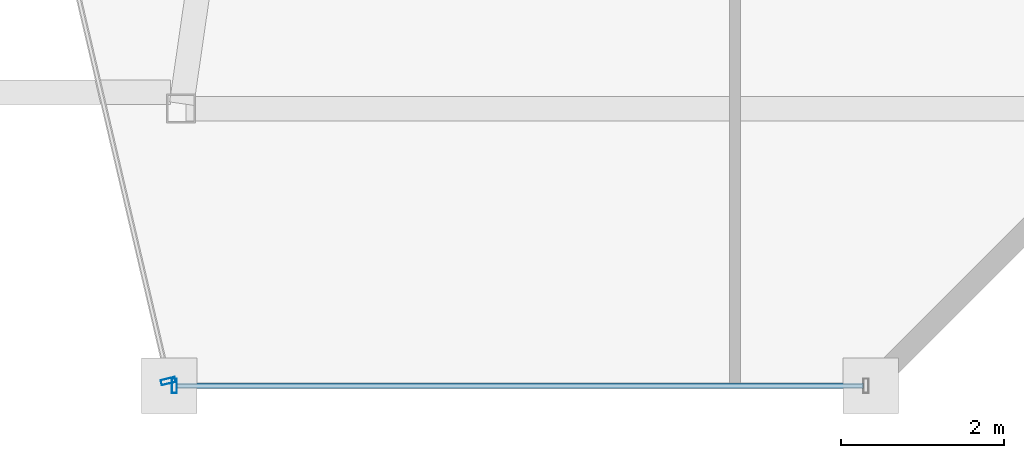
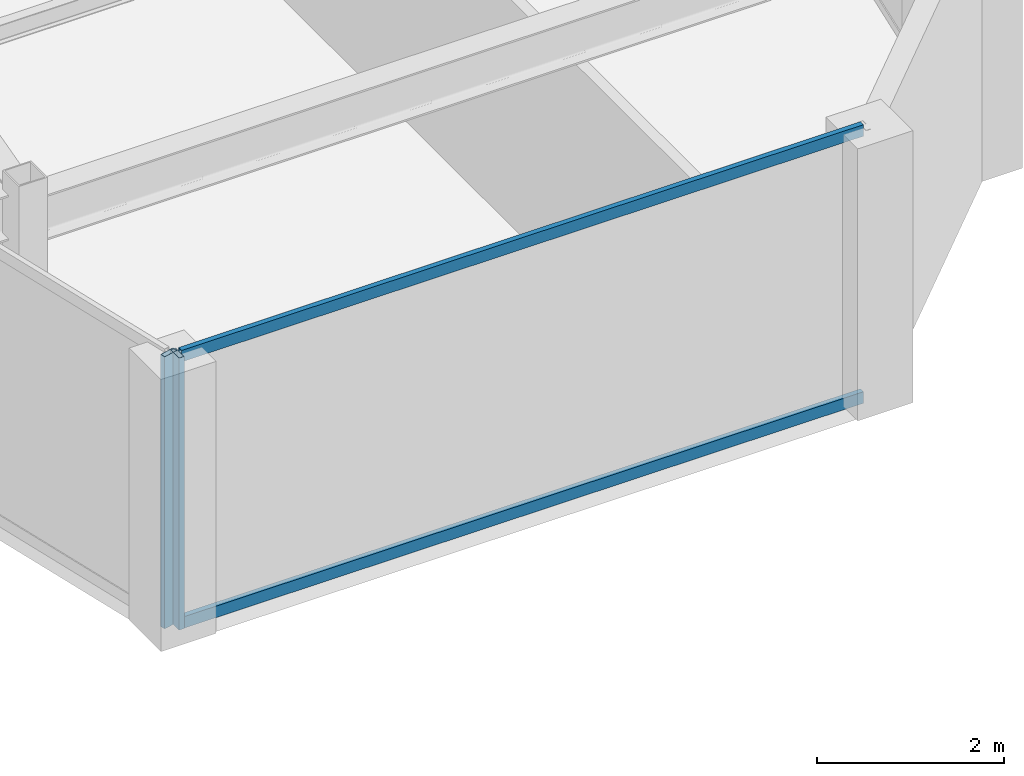
# One storey, part 12 of 32: 4 members, 2 elements without a shape of their own.
"""IFC4 building model written with IfcOpenShell, lengths in metres."""

from ifc_helpers import new_model, si_unit, direction, frame, origin, origin_2d, place, context, subcontext, project, spatial, hollow_rectangle, extrude, material, material_profile, profile_set, type_object, element, aggregate, save


model = new_model("IFC4")

# Units and contexts
model_context = context("Model", 3, precision=1e-05, world=origin(), true_north=direction((0.0, 1.0)))
body_context = subcontext(model_context, "Body", "Model", "MODEL_VIEW")
ifc_project = project(units=[si_unit("LENGTHUNIT", "METRE"), si_unit("AREAUNIT", "SQUARE_METRE"), si_unit("VOLUMEUNIT", "CUBIC_METRE"), si_unit("PLANEANGLEUNIT", "RADIAN"), si_unit("MASSUNIT", "GRAM", prefix="KILO")], contexts=[model_context])

# Site, building, storey
site_placement = place(None, origin())
site = spatial("IfcSite", under=ifc_project, at=site_placement, CompositionType="ELEMENT")
building_placement = place(site_placement, origin())
building = spatial("IfcBuilding", under=site, at=building_placement, Name="Saevonmaru Cultural Tower", CompositionType="ELEMENT")
storey_placement = place(building_placement, frame((0.0, 0.0, 268.60009765625)))
storey = spatial("IfcBuildingStorey", under=building, at=storey_placement, Name="L63", CompositionType="ELEMENT", Elevation=268.60009765625)

# Curtain wall, member
ifc_material = material(Name="Satin Bronze Anodised Aluminium", Category="aluminium")
curtain_wall_type = type_object("IfcCurtainWallType", Name="CW-TYP-B", PredefinedType="NOTDEFINED", material=ifc_material)
curtain_wall_1_placement = place(storey_placement, origin())
curtain_wall_1 = element("IfcCurtainWall", 1, at=curtain_wall_1_placement, inside=storey, type_object=curtain_wall_type, Name="L63 Unitised Curtain Wall E5", PredefinedType="NOTDEFINED")
ifc_material_profile_1 = material_profile(ifc_material, hollow_rectangle(XDim=0.06494140625, YDim=0.179931640625, WallThickness=0.00390625, at=origin_2d()), Name="ALU-MULL-180x65x4")
ifc_profile_set_1 = profile_set([ifc_material_profile_1], Name="Satin Bronze Anodised Aluminium")
member_type_1 = type_object("IfcMemberType", Name="ML-CW-180x65", PredefinedType="MULLION", material=ifc_profile_set_1)
member_1_placement = place(storey_placement, frame((39.390625, 22.8583984375, 0.0), z_axis=(0.0, 0.0, 1.0), x_axis=(0.228189509449, -0.973616735568, 0.0)))
member_1 = element("IfcMember", 2, at=member_1_placement, type_object=member_type_1, Name="CW-TW-L63-E5 mullion 2", PredefinedType="MULLION", context=body_context, shape_type="SweptSolid", body=[
    extrude(hollow_rectangle(XDim=0.06494140625, YDim=0.179931640625, WallThickness=0.00390625, at=origin_2d()), origin(), (0.0, 0.0, 1.0), 3.5498046875),
])
aggregate(curtain_wall_1, [member_1])

# Curtain wall, members
curtain_wall_2_placement = place(storey_placement, origin())
curtain_wall_2 = element("IfcCurtainWall", 3, at=curtain_wall_2_placement, inside=storey, type_object=curtain_wall_type, Name="L63 Unitised Curtain Wall E6", PredefinedType="NOTDEFINED")
member_2_placement = place(storey_placement, frame((39.46435546875, 22.800048828125, 0.0), z_axis=(0.0, 0.0, 1.0), x_axis=(1.0, 0.0, 0.0)))
member_2 = element("IfcMember", 4, at=member_2_placement, type_object=member_type_1, Name="CW-TW-L63-E6 mullion 1", PredefinedType="MULLION", context=body_context, shape_type="SweptSolid", body=[
    extrude(hollow_rectangle(XDim=0.06494140625, YDim=0.179931640625, WallThickness=0.00390625, at=origin_2d()), origin(), (0.0, 0.0, 1.0), 3.5498046875),
])
ifc_material_profile_2 = material_profile(ifc_material, hollow_rectangle(XDim=0.06494140625, YDim=0.14990234375, WallThickness=0.00390625, at=origin_2d()), Name="ALU-TRAN-150x65x4")
ifc_profile_set_2 = profile_set([ifc_material_profile_2], Name="Satin Bronze Anodised Aluminium")
member_type_2 = type_object("IfcMemberType", Name="TR-CW-150x65", PredefinedType="USERDEFINED", material=ifc_profile_set_2)
member_3_placement = place(storey_placement, frame((39.496826171875, 22.800048828125, 0.032470703125), z_axis=(1.0, 0.0, 0.0), x_axis=(0.0, 1.0, 0.0)))
member_3 = element("IfcMember", 5, at=member_3_placement, type_object=member_type_2, Name="CW-TW-L63-E6 transom 1.1", ObjectType="TRANSOM", PredefinedType="USERDEFINED", context=body_context, shape_type="SweptSolid", body=[
    extrude(hollow_rectangle(XDim=0.06494140625, YDim=0.14990234375, WallThickness=0.00390625, at=origin_2d()), origin(), (0.0, 0.0, 1.0), 8.4150390625),
])
member_4_placement = place(storey_placement, frame((39.496826171875, 22.800048828125, 3.517333984375), z_axis=(1.0, 0.0, 0.0), x_axis=(0.0, 1.0, 0.0)))
member_4 = element("IfcMember", 6, at=member_4_placement, type_object=member_type_2, Name="CW-TW-L63-E6 transom 1.2", ObjectType="TRANSOM", PredefinedType="USERDEFINED", context=body_context, shape_type="SweptSolid", body=[
    extrude(hollow_rectangle(XDim=0.06494140625, YDim=0.14990234375, WallThickness=0.00390625, at=origin_2d()), origin(), (0.0, 0.0, 1.0), 8.4150390625),
])
aggregate(curtain_wall_2, [member_2, member_3, member_4])

save(model, "model.ifc")
